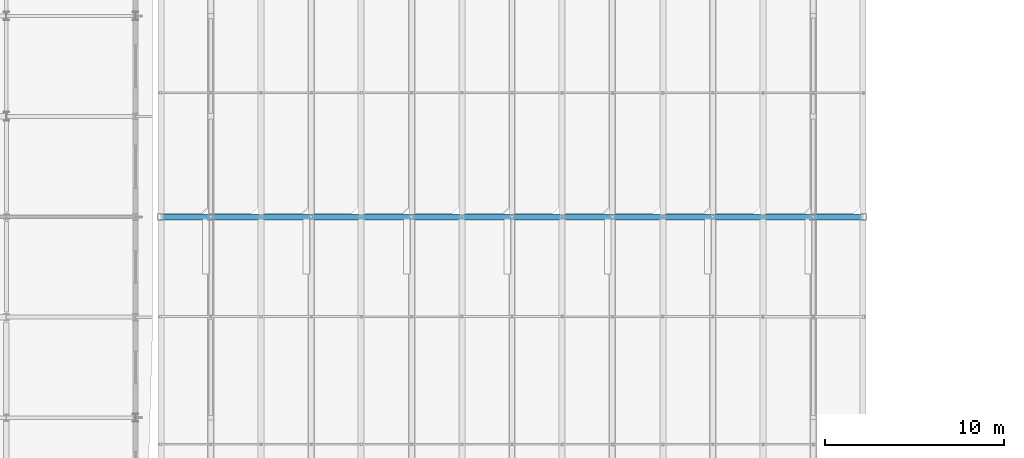
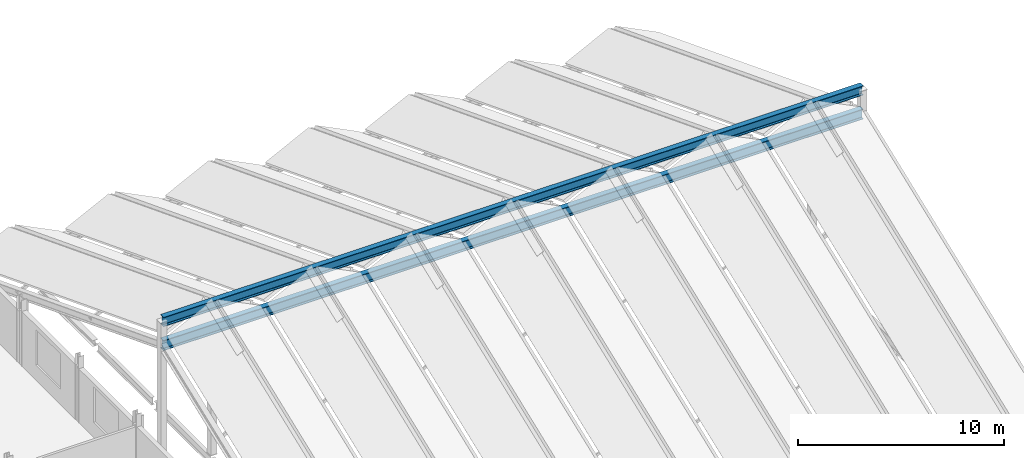
# One storey, part 16 of 49: 2 beams.
"""IFC4 building model written with IfcOpenShell, lengths in metres."""

import ifcopenshell
import ifcopenshell.guid

model = None  # the IFC model being written
_history = None  # IfcOwnerHistory: only IFC2X3 demands one
_inside = {}  # id of a spatial element -> (the spatial element, [elements in it])
_under = {}  # id of a project, library or spatial element -> (it, [spatial elements below it])
_declared = {}  # id of a project -> (the project, [libraries it declares])
_typed = {}  # id of a type object -> (the type object, [elements of that type])
_made_of = {}  # id of a material, layer set ... -> (it, [elements and type objects made of it])


def new_model(schema):
    """Start an empty IFC model of exactly this schema.

    Asked for "IFC4X3", IfcOpenShell would pick the latest addendum, in which some entities
    have other attributes; the version numbers below select the first issue.
    IFC2X3 requires an IfcOwnerHistory on every rooted entity: one is made here for all.
    """
    global model, _history
    if schema == "IFC4X3":
        model = ifcopenshell.file(schema_version=(4, 3, 0, 0))
    else:
        model = ifcopenshell.file(schema=schema)
    _inside.clear()
    _under.clear()
    _declared.clear()
    _typed.clear()
    _made_of.clear()
    _history = None
    if model.schema == "IFC2X3":
        org = make("IfcOrganization", Name="unknown")
        user = make(
            "IfcPersonAndOrganization",
            ThePerson=make("IfcPerson", FamilyName="unknown"),
            TheOrganization=org,
        )
        app = make(
            "IfcApplication",
            ApplicationDeveloper=org,
            Version="unknown",
            ApplicationFullName="unknown",
            ApplicationIdentifier="unknown",
        )
        _history = make(
            "IfcOwnerHistory",
            OwningUser=user,
            OwningApplication=app,
            ChangeAction="ADDED",
            CreationDate=0,
        )
    return model


def make(cls, **values):
    """One entity of the class cls with the attributes given. An attribute that is None is left unset."""
    return model.create_entity(
        cls, **{name: value for name, value in values.items() if value is not None}
    )


def rooted(cls, **values):
    """An entity with a GlobalId (a new one), such as an element, a storey or a relation."""
    return make(cls, GlobalId=ifcopenshell.guid.new(), OwnerHistory=_history, **values)


def si_unit(unit_type, name, prefix=None):
    """IfcSIUnit, for example si_unit("LENGTHUNIT", "METRE", prefix="MILLI")."""
    return make("IfcSIUnit", UnitType=unit_type, Prefix=prefix, Name=name)


def assignment(units):
    """IfcUnitAssignment: the units of a project."""
    return None if units is None else make("IfcUnitAssignment", Units=units)


def point(xyz):
    """IfcCartesianPoint."""
    return None if xyz is None else make("IfcCartesianPoint", Coordinates=xyz)


def direction(xyz):
    """IfcDirection."""
    return None if xyz is None else make("IfcDirection", DirectionRatios=xyz)


def frame(location, z_axis=None, x_axis=None):
    """IfcAxis2Placement3D, a coordinate frame: its origin and axes. An axis left out is left unset."""
    return make(
        "IfcAxis2Placement3D",
        Location=point(location),
        Axis=direction(z_axis),
        RefDirection=direction(x_axis),
    )


def frame_2d(location, x_axis=None):
    """IfcAxis2Placement2D, a coordinate frame in the plane: its origin and x axis."""
    return make(
        "IfcAxis2Placement2D", Location=point(location), RefDirection=direction(x_axis)
    )


def origin():
    """The frame at (0, 0, 0) with its axes left unset."""
    return frame((0.0, 0.0, 0.0))


def origin_2d():
    """The frame at (0, 0) in the plane with its x axis left unset."""
    return frame_2d((0.0, 0.0))


def place(relative_to, where):
    """IfcLocalPlacement: puts the frame where relative to a parent placement (None: the world)."""
    return make(
        "IfcLocalPlacement", PlacementRelTo=relative_to, RelativePlacement=where
    )


def context(
    kind, dimensions, precision=None, world=None, true_north=None, identifier=None
):
    """IfcGeometricRepresentationContext, for example the 3D "Model" context."""
    return make(
        "IfcGeometricRepresentationContext",
        ContextIdentifier=identifier,
        ContextType=kind,
        CoordinateSpaceDimension=dimensions,
        Precision=precision,
        WorldCoordinateSystem=world,
        TrueNorth=true_north,
    )


def subcontext(parent, identifier, kind, view, scale=None):
    """IfcGeometricRepresentationSubContext, for example "Body" below "Model"."""
    return make(
        "IfcGeometricRepresentationSubContext",
        ContextIdentifier=identifier,
        ContextType=kind,
        ParentContext=parent,
        TargetScale=scale,
        TargetView=view,
    )


def project(units=None, contexts=None):
    """IfcProject with its units and contexts."""
    return rooted(
        "IfcProject",
        Name="project",
        RepresentationContexts=contexts,
        UnitsInContext=assignment(units),
    )


def spatial(cls, under=None, at=None, **own):
    """A site, building, storey or space (cls), placed at a placement, below another one or the project."""
    s = rooted(cls, ObjectPlacement=at, **own)
    if under is not None:
        _under.setdefault(under.id(), (under, []))[1].append(s)
    return s


def profile(cls, at=None, kind="AREA", **sizes):
    """A parametric profile (cls). Its sizes go by their IFC names, for example OverallWidth=200.0."""
    return make(cls, ProfileType=kind, Position=at, **sizes)


def i_section(**sizes):
    """IfcIShapeProfileDef."""
    return profile("IfcIShapeProfileDef", **sizes)


def extrude(swept, where, along, depth):
    """IfcExtrudedAreaSolid: the profile swept, set in the frame where, extruded along a direction by depth."""
    return make(
        "IfcExtrudedAreaSolid",
        SweptArea=swept,
        Position=where,
        ExtrudedDirection=direction(along),
        Depth=depth,
    )


def shape(context_of_items, identifier, shape_type, items):
    """IfcShapeRepresentation: the items that make up one representation, for example the "Body"."""
    return make(
        "IfcShapeRepresentation",
        ContextOfItems=context_of_items,
        RepresentationIdentifier=identifier,
        RepresentationType=shape_type,
        Items=items,
    )


def material(Name=None, Category=None):
    """IfcMaterial."""
    return make("IfcMaterial", Name=Name, Category=Category)


def material_profile(
    of_material, cross_section, Name=None, Category=None, Priority=None
):
    """IfcMaterialProfile: a cross section and its material."""
    return make(
        "IfcMaterialProfile",
        Name=Name,
        Material=of_material,
        Profile=cross_section,
        Priority=Priority,
        Category=Category,
    )


def profile_set(profiles, Name=None, composite=None):
    """IfcMaterialProfileSet."""
    return make(
        "IfcMaterialProfileSet",
        Name=Name,
        MaterialProfiles=profiles,
        CompositeProfile=composite,
    )


def made_of(thing, what):
    """Note that an element or type object is made of a material, layer set ...; save() writes the relation."""
    if what is not None:
        _made_of.setdefault(what.id(), (what, []))[1].append(thing)
    return thing


def type_object(cls, material=None, **own):
    """A type object (cls), such as IfcWallType, which elements share."""
    return made_of(rooted(cls, **own), material)


def element(
    cls,
    number,
    at=None,
    inside=None,
    cuts=None,
    type_object=None,
    material=None,
    context=None,
    identifier="Body",
    shape_type=None,
    held_by="IfcProductDefinitionShape",
    body=None,
    shapes=None,
    **own,
):
    """One element of the class cls, such as IfcWall. Its Tag is "e" and its number.

    at: its placement. inside: the storey or other place that contains it. cuts: it is an
    opening in that element (IfcRelVoidsElement). A single representation is given by context,
    identifier, shape_type and body (its items); several are given by shapes. held_by: the class
    of the entity that holds the representations. save() writes the other relations.
    """
    e = rooted(cls, Tag="e%d" % number, ObjectPlacement=at, **own)
    if body is not None:
        shapes = [shape(context, identifier, shape_type, body)]
    if shapes is not None:
        e.Representation = make(held_by, Representations=shapes)
    if inside is not None:
        _inside.setdefault(inside.id(), (inside, []))[1].append(e)
    if cuts is not None:
        rooted(
            "IfcRelVoidsElement", RelatingBuildingElement=cuts, RelatedOpeningElement=e
        )
    if type_object is not None:
        _typed.setdefault(type_object.id(), (type_object, []))[1].append(e)
    return made_of(e, material)


def aggregate(whole, parts):
    """IfcRelAggregates: a whole, such as a stair, and the parts it consists of."""
    return rooted("IfcRelAggregates", RelatingObject=whole, RelatedObjects=parts)


def save(model, path):
    """Write the relations noted so far, then the file.

    IfcRelAggregates (storeys below a building ...), IfcRelContainedInSpatialStructure (elements
    in a storey), IfcRelDefinesByType, IfcRelAssociatesMaterial and IfcRelDeclares: one each for
    every whole, place, type object, material and project.
    """
    for whole, parts in _under.values():
        aggregate(whole, parts)
    for where, things in _inside.values():
        rooted(
            "IfcRelContainedInSpatialStructure",
            RelatedElements=things,
            RelatingStructure=where,
        )
    for kind, things in _typed.values():
        rooted("IfcRelDefinesByType", RelatedObjects=things, RelatingType=kind)
    for what, things in _made_of.values():
        rooted("IfcRelAssociatesMaterial", RelatedObjects=things, RelatingMaterial=what)
    for by, libraries in _declared.values():
        rooted("IfcRelDeclares", RelatingContext=by, RelatedDefinitions=libraries)
    model.write(path)


model = new_model("IFC4")

# Units and contexts
model_context = context("Model", 3, precision=1e-05, world=origin(), true_north=direction((0.0, 1.0)))
body_context = subcontext(model_context, "Body", "Model", "MODEL_VIEW")
ifc_project = project(units=[si_unit("LENGTHUNIT", "METRE"), si_unit("AREAUNIT", "SQUARE_METRE"), si_unit("VOLUMEUNIT", "CUBIC_METRE"), si_unit("PLANEANGLEUNIT", "RADIAN"), si_unit("MASSUNIT", "GRAM", prefix="KILO")], contexts=[model_context])

# Site, building, storey
site_placement = place(None, origin())
site = spatial("IfcSite", under=ifc_project, at=site_placement, CompositionType="ELEMENT")
building_placement = place(site_placement, origin())
building = spatial("IfcBuilding", under=site, at=building_placement, Name="Vinh Khe Railworks Police Headquarters", CompositionType="ELEMENT")
storey_placement = place(building_placement, frame((0.0, 0.0, 17.10009765625)))
storey = spatial("IfcBuildingStorey", under=building, at=storey_placement, Name="L04", CompositionType="ELEMENT", Elevation=17.10009765625)

# Beams
ifc_material = material(Name="Steel S355JR", Category="steel")
ifc_material_profile_1 = material_profile(ifc_material, i_section(OverallWidth=0.300048828125, OverallDepth=0.550048828125, WebThickness=0.014892578125, FlangeThickness=0.029052734375, FilletRadius=0.027099609375, at=origin_2d()), Name="HEB 550")
ifc_profile_set_1 = profile_set([ifc_material_profile_1], Name="Steel S355JR")
beam_type_1 = type_object("IfcBeamType", Name="Steel Girder HEB 550", PredefinedType="BEAM", material=ifc_profile_set_1)
beam_1_placement = place(storey_placement, frame((23.60009765625, 42.0, 8.808837890625), z_axis=(1.0, 0.0, 0.0), x_axis=(0.0, 1.0, 0.0)))
element("IfcBeam", 1, at=beam_1_placement, inside=storey, type_object=beam_type_1, Name="Folded Roof Central Crest Spine Girder", PredefinedType="BEAM", context=body_context, shape_type="SweptSolid", body=[
    extrude(i_section(OverallWidth=0.300048828125, OverallDepth=0.550048828125, WebThickness=0.014892578125, FlangeThickness=0.029052734375, FilletRadius=0.027099609375, at=origin_2d()), origin(), (0.0, 0.0, 1.0), 39.199951171875),
])
ifc_material_profile_2 = material_profile(ifc_material, i_section(OverallWidth=0.300048828125, OverallDepth=0.60009765625, WebThickness=0.015380859375, FlangeThickness=0.030029296875, FilletRadius=0.027099609375, at=origin_2d()), Name="HEB 600")
ifc_profile_set_2 = profile_set([ifc_material_profile_2], Name="Steel S355JR")
beam_type_2 = type_object("IfcBeamType", Name="Steel Girder HEB 600", PredefinedType="BEAM", material=ifc_profile_set_2)
beam_2_placement = place(storey_placement, frame((23.60009765625, 42.0, 7.40869140625), z_axis=(1.0, 0.0, 0.0), x_axis=(0.0, 1.0, 0.0)))
element("IfcBeam", 2, at=beam_2_placement, inside=storey, type_object=beam_type_2, Name="Folded Roof Central Valley Spine Girder", PredefinedType="BEAM", context=body_context, shape_type="SweptSolid", body=[
    extrude(i_section(OverallWidth=0.300048828125, OverallDepth=0.60009765625, WebThickness=0.015380859375, FlangeThickness=0.030029296875, FilletRadius=0.027099609375, at=origin_2d()), origin(), (0.0, 0.0, 1.0), 39.199951171875),
])

save(model, "model.ifc")
